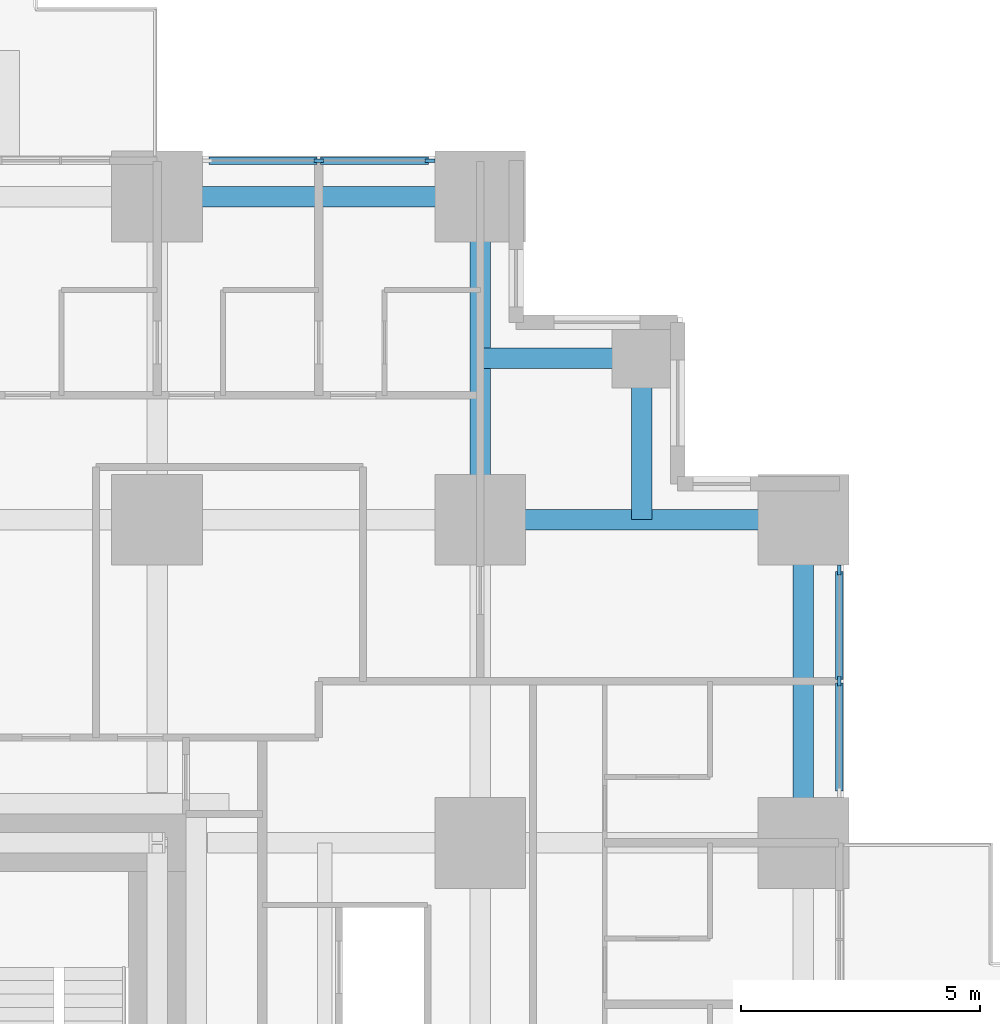
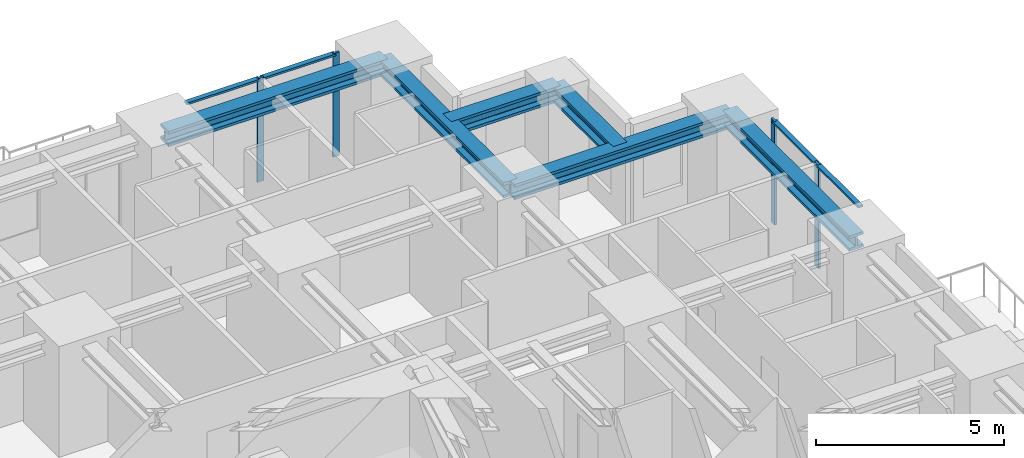
# One storey, part 6 of 15: 8 members, 6 beams, 2 elements without a shape of their own.
"""IFC4 building model written with IfcOpenShell, lengths in metres."""

from ifc_helpers import new_model, si_unit, direction, frame, origin, origin_2d, place, context, subcontext, project, spatial, rectangle, i_section, extrude, material, material_profile, profile_set, type_object, element, aggregate, save


model = new_model("IFC4")

# Units and contexts
model_context = context("Model", 3, precision=1e-05, world=origin(), true_north=direction((0.0, 1.0)))
body_context = subcontext(model_context, "Body", "Model", "MODEL_VIEW")
ifc_project = project(units=[si_unit("LENGTHUNIT", "METRE"), si_unit("AREAUNIT", "SQUARE_METRE"), si_unit("VOLUMEUNIT", "CUBIC_METRE"), si_unit("PLANEANGLEUNIT", "RADIAN"), si_unit("MASSUNIT", "GRAM", prefix="KILO")], contexts=[model_context])

# Site, building, storey
site_placement = place(None, origin())
site = spatial("IfcSite", under=ifc_project, at=site_placement, CompositionType="ELEMENT")
building_placement = place(site_placement, origin())
building = spatial("IfcBuilding", under=site, at=building_placement, Name="Nyansa Garden Tower", CompositionType="ELEMENT")
storey_placement = place(building_placement, frame((0.0, 0.0, 36.0)))
storey = spatial("IfcBuildingStorey", under=building, at=storey_placement, Name="L09", CompositionType="ELEMENT", Elevation=36.0)

# Curtain wall, members
ifc_material_1 = material(Name="Black anodised aluminium, dark tinted double glazing", Category="aluminium")
curtain_wall_type = type_object("IfcCurtainWallType", Name="Inner skin curtain wall ISW-A", PredefinedType="USERDEFINED", material=ifc_material_1)
curtain_wall_1_placement = place(storey_placement, origin())
curtain_wall_1 = element("IfcCurtainWall", 1, at=curtain_wall_1_placement, inside=storey, type_object=curtain_wall_type, Name="Inner skin curtain wall L09 E", ObjectType="UNITISED CURTAIN WALL", PredefinedType="USERDEFINED")
ifc_material_2 = material(Name="Black anodised aluminium", Category="aluminium")
ifc_material_profile_1 = material_profile(ifc_material_2, rectangle(XDim=0.06494140625, YDim=0.199951171875, at=origin_2d()), Name="Mullion 200x65")
ifc_profile_set_1 = profile_set([ifc_material_profile_1], Name="Black anodised aluminium")
member_type_1 = type_object("IfcMemberType", Name="Mullion ISW-A 200x65", PredefinedType="MULLION", material=ifc_profile_set_1)
member_1_placement = place(storey_placement, frame((41.25, 30.375, 0.0), z_axis=(0.0, 0.0, 1.0), x_axis=(-1.0, 0.0, 0.0)))
member_1 = element("IfcMember", 2, at=member_1_placement, type_object=member_type_1, Name="ISW-A mullion 2", PredefinedType="MULLION", context=body_context, shape_type="SweptSolid", body=[
    extrude(rectangle(XDim=0.06494140625, YDim=0.199951171875, at=origin_2d()), origin(), (0.0, 0.0, 1.0), 3.375),
])
member_2_placement = place(storey_placement, frame((41.25, 32.699951171875, 0.0), z_axis=(0.0, 0.0, 1.0), x_axis=(-1.0, 0.0, 0.0)))
member_2 = element("IfcMember", 3, at=member_2_placement, type_object=member_type_1, Name="ISW-A mullion 3", PredefinedType="MULLION", context=body_context, shape_type="SweptSolid", body=[
    extrude(rectangle(XDim=0.06494140625, YDim=0.199951171875, at=origin_2d()), origin(), (0.0, 0.0, 1.0), 3.375),
])

curtain_wall_2_placement = place(storey_placement, origin())
curtain_wall_2 = element("IfcCurtainWall", 4, at=curtain_wall_2_placement, inside=storey, type_object=curtain_wall_type, Name="Inner skin curtain wall L09 N", ObjectType="UNITISED CURTAIN WALL", PredefinedType="USERDEFINED")
member_3_placement = place(storey_placement, frame((32.699951171875, 41.25, 0.0), z_axis=(0.0, 0.0, 1.0), x_axis=(0.0, -1.0, 0.0)))
member_3 = element("IfcMember", 5, at=member_3_placement, type_object=member_type_1, Name="ISW-A mullion 1", PredefinedType="MULLION", context=body_context, shape_type="SweptSolid", body=[
    extrude(rectangle(XDim=0.06494140625, YDim=0.199951171875, at=origin_2d()), origin(), (0.0, 0.0, 1.0), 3.375),
])
member_4_placement = place(storey_placement, frame((30.375, 41.25, 0.0), z_axis=(0.0, 0.0, 1.0), x_axis=(0.0, -1.0, 0.0)))
member_4 = element("IfcMember", 6, at=member_4_placement, type_object=member_type_1, Name="ISW-A mullion 2", PredefinedType="MULLION", context=body_context, shape_type="SweptSolid", body=[
    extrude(rectangle(XDim=0.06494140625, YDim=0.199951171875, at=origin_2d()), origin(), (0.0, 0.0, 1.0), 3.375),
])

# Beams
ifc_material_3 = material(Name="Steel S355", Category="steel")
ifc_material_profile_2 = material_profile(ifc_material_3, i_section(OverallWidth=0.431884765625, OverallDepth=0.498046875, WebThickness=0.0556640625, FlangeThickness=0.0888671875, FilletRadius=0.014892578125, at=origin_2d()), Name="HD 400x744")
ifc_profile_set_2 = profile_set([ifc_material_profile_2], Name="Steel S355")
beam_type_1 = type_object("IfcBeamType", Name="Steel beam SBA1-744 HD 400x744", PredefinedType="BEAM", material=ifc_profile_set_2)
for number, where, z_axis, x_axis, name in (
    (7, (33.75, 33.75, 3.1259765625), (0.0, 1.0, 0.0), (-1.0, 0.0, 0.0), "Steel beam 7/J-7/K L10"),
    (8, (33.75, 33.75, 3.1259765625), (1.0, 0.0, 0.0), (0.0, 1.0, 0.0), "Steel beam 7/J-8/J L10"),
):
    element("IfcBeam", number, at=place(storey_placement, frame(where, z_axis=z_axis, x_axis=x_axis)), inside=storey, type_object=beam_type_1, Name=name, PredefinedType="BEAM", context=body_context, shape_type="SweptSolid", body=[
        extrude(i_section(OverallWidth=0.431884765625, OverallDepth=0.498046875, WebThickness=0.0556640625, FlangeThickness=0.0888671875, FilletRadius=0.014892578125, at=origin_2d()), origin(), (0.0, 0.0, 1.0), 6.75),
    ])
ifc_material_4 = material(Name="Steel S355", Category="steel")
ifc_material_profile_3 = material_profile(ifc_material_4, i_section(OverallWidth=0.431884765625, OverallDepth=0.498046875, WebThickness=0.0556640625, FlangeThickness=0.0888671875, FilletRadius=0.014892578125, at=origin_2d()), Name="HD 400x744")
ifc_profile_set_3 = profile_set([ifc_material_profile_3], Name="Steel S355")
beam_type_2 = type_object("IfcBeamType", Name="Steel beam SEBA-744 HD 400x744", PredefinedType="BEAM", material=ifc_profile_set_3)
for number, where, z_axis, x_axis, name in (
    (9, (27.0, 40.5, 3.1259765625), (1.0, 0.0, 0.0), (0.0, 1.0, 0.0), "Steel edge beam 6/K-7/K L10"),
    (10, (40.5, 27.0, 3.1259765625), (0.0, 1.0, 0.0), (-1.0, 0.0, 0.0), "Steel edge beam 8/H-8/J L10"),
):
    element("IfcBeam", number, at=place(storey_placement, frame(where, z_axis=z_axis, x_axis=x_axis)), inside=storey, type_object=beam_type_2, Name=name, PredefinedType="BEAM", context=body_context, shape_type="SweptSolid", body=[
        extrude(i_section(OverallWidth=0.431884765625, OverallDepth=0.498046875, WebThickness=0.0556640625, FlangeThickness=0.0888671875, FilletRadius=0.014892578125, at=origin_2d()), origin(), (0.0, 0.0, 1.0), 6.75),
    ])
ifc_material_5 = material(Name="Steel S355", Category="steel")
ifc_material_profile_4 = material_profile(ifc_material_5, i_section(OverallWidth=0.431884765625, OverallDepth=0.498046875, WebThickness=0.0556640625, FlangeThickness=0.0888671875, FilletRadius=0.014892578125, at=origin_2d()), Name="HD 400x744")
ifc_profile_set_4 = profile_set([ifc_material_profile_4], Name="Steel S355")
beam_type_3 = type_object("IfcBeamType", Name="Steel beam SSB1-744 HD 400x744", PredefinedType="BEAM", material=ifc_profile_set_4)
for number, where, z_axis, x_axis, name in (
    (11, (37.125, 37.125, 3.1259765625), (0.0, -1.0, 0.0), (1.0, 0.0, 0.0), "Steel step beam 37.125/37.125 L10"),
    (12, (37.125, 37.125, 3.1259765625), (-1.0, 0.0, 0.0), (0.0, -1.0, 0.0), "Steel step beam 37.125/37.125 L10"),
):
    element("IfcBeam", number, at=place(storey_placement, frame(where, z_axis=z_axis, x_axis=x_axis)), inside=storey, type_object=beam_type_3, Name=name, PredefinedType="BEAM", context=body_context, shape_type="SweptSolid", body=[
        extrude(i_section(OverallWidth=0.431884765625, OverallDepth=0.498046875, WebThickness=0.0556640625, FlangeThickness=0.0888671875, FilletRadius=0.014892578125, at=origin_2d()), origin(), (0.0, 0.0, 1.0), 3.375),
    ])

# Member
ifc_material_6 = material(Name="Black anodised aluminium", Category="aluminium")
ifc_material_profile_5 = material_profile(ifc_material_6, rectangle(XDim=0.14990234375, YDim=0.06494140625, at=origin_2d()), Name="Transom 150x65")
ifc_profile_set_5 = profile_set([ifc_material_profile_5], Name="Black anodised aluminium")
member_type_2 = type_object("IfcMemberType", Name="Transom ISW-A 150x65", PredefinedType="USERDEFINED", material=ifc_profile_set_5)
member_5_placement = place(storey_placement, frame((41.25, 28.08251953125, 3.342529296875), z_axis=(0.0, 1.0, 0.0), x_axis=(-1.0, 0.0, 0.0)))
member_5 = element("IfcMember", 13, at=member_5_placement, type_object=member_type_2, Name="ISW-A transom 1", ObjectType="TRANSOM", PredefinedType="USERDEFINED", context=body_context, shape_type="SweptSolid", body=[
    extrude(rectangle(XDim=0.14990234375, YDim=0.06494140625, at=origin_2d()), origin(), (0.0, 0.0, 1.0), 2.260009765625),
])

member_6_placement = place(storey_placement, frame((41.25, 30.407470703125, 3.342529296875), z_axis=(0.0, 1.0, 0.0), x_axis=(-1.0, 0.0, 0.0)))
member_6 = element("IfcMember", 14, at=member_6_placement, type_object=member_type_2, Name="ISW-A transom 2", ObjectType="TRANSOM", PredefinedType="USERDEFINED", context=body_context, shape_type="SweptSolid", body=[
    extrude(rectangle(XDim=0.14990234375, YDim=0.06494140625, at=origin_2d()), origin(), (0.0, 0.0, 1.0), 2.260009765625),
])

aggregate(curtain_wall_1, [member_1, member_2, member_5, member_6])

member_7_placement = place(storey_placement, frame((32.66748046875, 41.25, 3.342529296875), z_axis=(-1.0, 0.0, 0.0), x_axis=(0.0, -1.0, 0.0)))
member_7 = element("IfcMember", 15, at=member_7_placement, type_object=member_type_2, Name="ISW-A transom 1", ObjectType="TRANSOM", PredefinedType="USERDEFINED", context=body_context, shape_type="SweptSolid", body=[
    extrude(rectangle(XDim=0.14990234375, YDim=0.06494140625, at=origin_2d()), origin(), (0.0, 0.0, 1.0), 2.260009765625),
])

member_8_placement = place(storey_placement, frame((30.342529296875, 41.25, 3.342529296875), z_axis=(-1.0, 0.0, 0.0), x_axis=(0.0, -1.0, 0.0)))
member_8 = element("IfcMember", 16, at=member_8_placement, type_object=member_type_2, Name="ISW-A transom 2", ObjectType="TRANSOM", PredefinedType="USERDEFINED", context=body_context, shape_type="SweptSolid", body=[
    extrude(rectangle(XDim=0.14990234375, YDim=0.06494140625, at=origin_2d()), origin(), (0.0, 0.0, 1.0), 2.260009765625),
])

aggregate(curtain_wall_2, [member_3, member_4, member_7, member_8])

save(model, "model.ifc")
